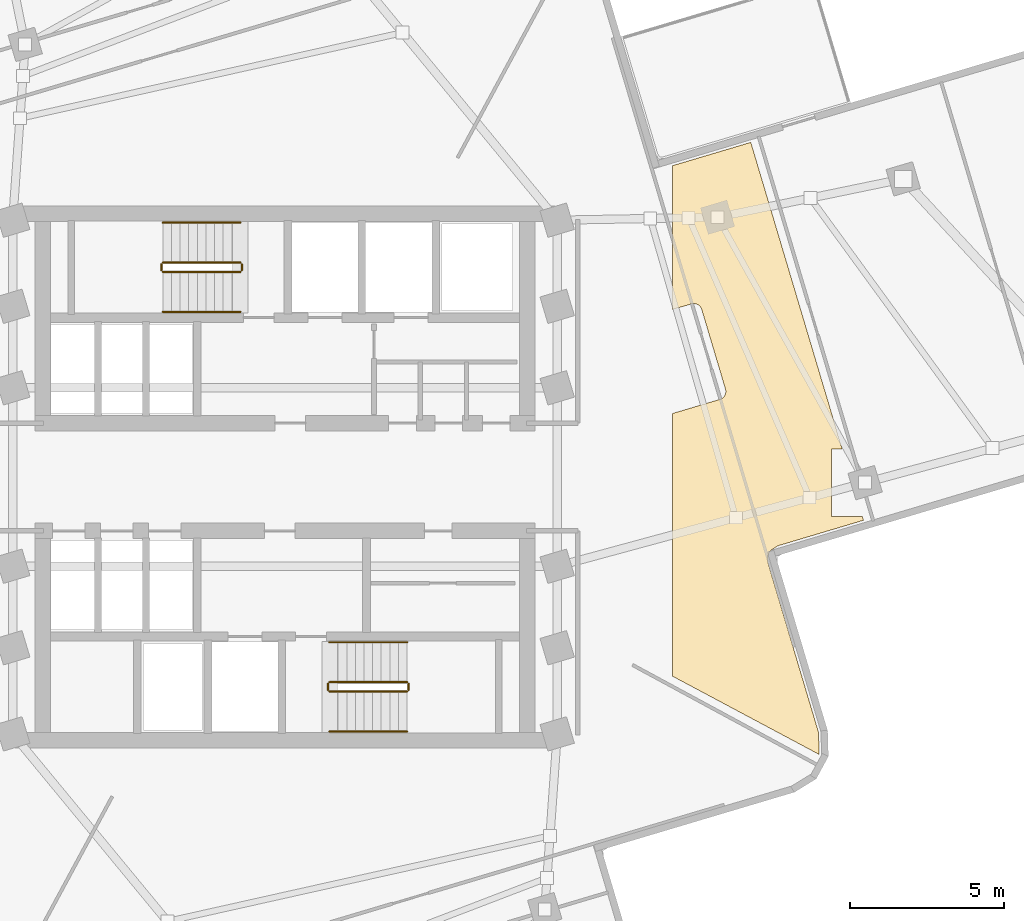
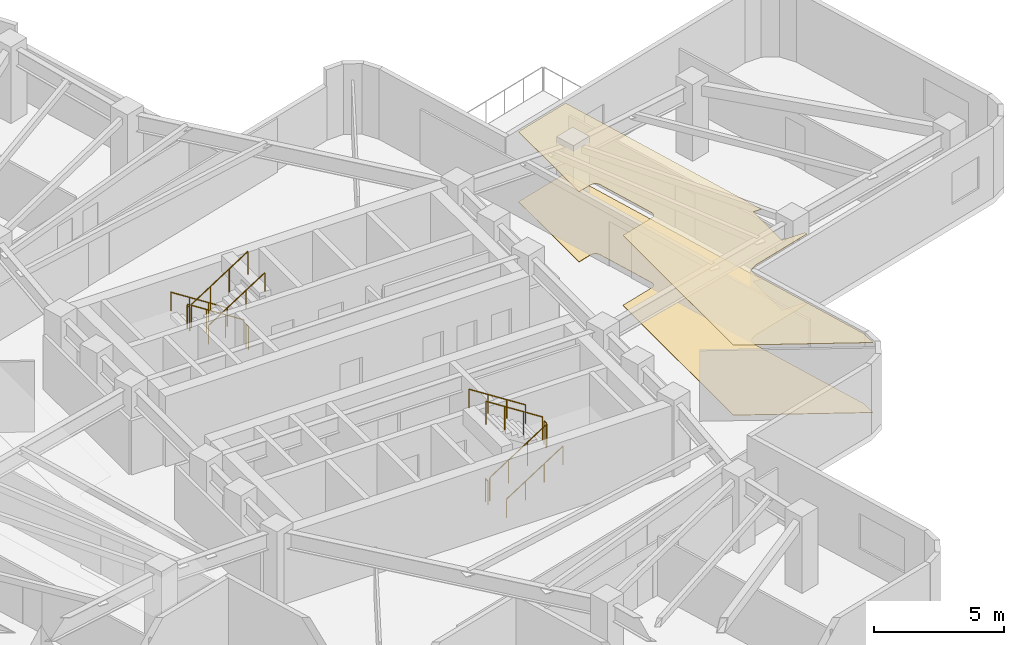
# One storey, part 7 of 8: 12 railings, 2 coverings.
"""IFC4 building model written with IfcOpenShell, lengths in metres."""

from ifc_helpers import new_model, si_unit, direction, frame, origin, origin_2d, place, context, subcontext, project, spatial, polyline, circle, outline, extrude, material, layer, layer_set, type_object, element, save


model = new_model("IFC4")

# Units and contexts
model_context = context("Model", 3, precision=1e-05, world=origin(), true_north=direction((0.0, 1.0)))
body_context = subcontext(model_context, "Body", "Model", "MODEL_VIEW")
ifc_project = project(units=[si_unit("LENGTHUNIT", "METRE"), si_unit("AREAUNIT", "SQUARE_METRE"), si_unit("VOLUMEUNIT", "CUBIC_METRE"), si_unit("PLANEANGLEUNIT", "RADIAN"), si_unit("MASSUNIT", "GRAM", prefix="KILO")], contexts=[model_context])

# Site, building, storey
site_placement = place(None, origin())
site = spatial("IfcSite", under=ifc_project, at=site_placement, CompositionType="ELEMENT")
building_placement = place(site_placement, origin())
building = spatial("IfcBuilding", under=site, at=building_placement, Name="Solmarez Civic Tower", CompositionType="ELEMENT")
storey_placement = place(building_placement, frame((0.0, 0.0, 145.080078125)))
storey = spatial("IfcBuildingStorey", under=building, at=storey_placement, Name="L38", CompositionType="ELEMENT", Elevation=145.080078125)

# Coverings
ifc_material_1 = material(Name="Perforated Mineral-Fibre Acoustic Ceiling")
ifc_layer_1 = layer(ifc_material_1, 0.02490234375)
ifc_layer_set_1 = layer_set([ifc_layer_1], Name="Perforated Mineral-Fibre Acoustic Ceiling")
covering_type_1 = type_object("IfcCoveringType", Name="COV-CEIL-ACOUSTIC", PredefinedType="CEILING", material=ifc_layer_set_1)
covering_1_placement = place(storey_placement, frame((0.0, 0.0, 3.294921875)))
element("IfcCovering", 1, at=covering_1_placement, inside=storey, type_object=covering_type_1, Name="L38 Suspended Acoustic Ceiling 2", PredefinedType="CEILING", context=body_context, shape_type="SweptSolid", body=[
    extrude(outline(polyline([(12.60009765625, 10.1220703125), (12.60009765625, 5.447021484375), (13.217041015625, 5.631103515625), (13.237060546875, 5.635986328125), (13.258056640625, 5.638916015625), (13.26806640625, 5.639892578125), (13.2900390625, 5.64111328125), (13.294921875, 5.64111328125), (13.31689453125, 5.639892578125), (13.337890625, 5.636962890625), (13.343017578125, 5.635986328125), (13.3701171875, 5.62890625), (13.37890625, 5.6259765625), (13.39111328125, 5.62109375), (13.39599609375, 5.618896484375), (13.4130859375, 5.611083984375), (13.429931640625, 5.60205078125), (13.446044921875, 5.591064453125), (13.4580078125, 5.58203125), (13.47607421875, 5.56689453125), (13.492919921875, 5.549072265625), (13.4990234375, 5.5419921875), (13.511962890625, 5.52490234375), (13.52294921875, 5.507080078125), (13.532958984375, 5.488037109375), (13.537109375, 5.47900390625), (13.5400390625, 5.471923828125), (13.5419921875, 5.467041015625), (13.549072265625, 5.447998046875), (14.321044921875, 2.85595703125), (14.325927734375, 2.8359375), (14.326904296875, 2.8310546875), (14.330078125, 2.81005859375), (14.3310546875, 2.7880859375), (14.3310546875, 2.778076171875), (14.330078125, 2.756103515625), (14.326904296875, 2.735107421875), (14.325927734375, 2.72998046875), (14.319091796875, 2.702880859375), (14.31591796875, 2.694091796875), (14.31103515625, 2.681884765625), (14.30908203125, 2.677001953125), (14.301025390625, 2.659912109375), (14.2919921875, 2.64306640625), (14.281005859375, 2.626953125), (14.27197265625, 2.614990234375), (14.257080078125, 2.596923828125), (14.239013671875, 2.580078125), (14.23193359375, 2.573974609375), (14.215087890625, 2.56103515625), (14.197021484375, 2.550048828125), (14.177978515625, 2.5400390625), (14.1689453125, 2.535888671875), (14.162109375, 2.532958984375), (14.156982421875, 2.531005859375), (14.137939453125, 2.52392578125), (12.60009765625, 2.06591796875), (12.60009765625, -6.47509765625), (17.361083984375, -9.01611328125), (17.364013671875, -9.009033203125), (17.344970703125, -8.301025390625), (15.721923828125, -2.85888671875), (15.717041015625, -2.840087890625), (15.712890625, -2.820068359375), (15.7109375, -2.805908203125), (15.708984375, -2.780029296875), (15.705078125, -2.60302734375), (15.705078125, -2.594970703125), (15.70703125, -2.56396484375), (15.7080078125, -2.55908203125), (15.708984375, -2.552978515625), (15.7109375, -2.535888671875), (15.715087890625, -2.52001953125), (15.717041015625, -2.512939453125), (15.72705078125, -2.486083984375), (15.72998046875, -2.47900390625), (15.740966796875, -2.45703125), (15.7451171875, -2.449951171875), (15.7529296875, -2.43701171875), (15.757080078125, -2.430908203125), (15.77099609375, -2.412109375), (15.77587890625, -2.406005859375), (15.7890625, -2.39111328125), (15.7939453125, -2.385986328125), (15.80908203125, -2.373046875), (15.81494140625, -2.367919921875), (15.827880859375, -2.35791015625), (15.8349609375, -2.35302734375), (15.847900390625, -2.344970703125), (15.993896484375, -2.2548828125), (16.010986328125, -2.2451171875), (16.01708984375, -2.241943359375), (16.028076171875, -2.237060546875), (16.034912109375, -2.23388671875), (16.052001953125, -2.22705078125), (16.05810546875, -2.22509765625), (16.06494140625, -2.222900390625), (18.804931640625, -1.406005859375), (18.76904296875, -1.282958984375), (17.760009765625, -1.282958984375), (17.760009765625, 0.9169921875), (18.113037109375, 0.9169921875), (15.14306640625, 10.87890625), (12.60009765625, 10.1220703125)])), origin(), (0.0, 0.0, 1.0), 0.02490234375),
])
ifc_material_2 = material(Name="Polished Tropical Stone Terrazzo Flooring", Category="masonry")
ifc_layer_2 = layer(ifc_material_2, 0.02001953125)
ifc_layer_set_2 = layer_set([ifc_layer_2], Name="Polished Tropical Stone Terrazzo Flooring")
covering_type_2 = type_object("IfcCoveringType", Name="COV-FLOOR-TERRAZZO", PredefinedType="FLOORING", material=ifc_layer_set_2)
covering_2_placement = place(storey_placement, origin())
element("IfcCovering", 2, at=covering_2_placement, inside=storey, type_object=covering_type_2, Name="L38 Terrazzo Floor Finish 2", PredefinedType="FLOORING", context=body_context, shape_type="SweptSolid", body=[
    extrude(outline(polyline([(12.60009765625, 10.1220703125), (12.60009765625, 5.447021484375), (13.217041015625, 5.631103515625), (13.237060546875, 5.635986328125), (13.258056640625, 5.638916015625), (13.26806640625, 5.639892578125), (13.2900390625, 5.64111328125), (13.294921875, 5.64111328125), (13.31689453125, 5.639892578125), (13.337890625, 5.636962890625), (13.343017578125, 5.635986328125), (13.3701171875, 5.62890625), (13.37890625, 5.6259765625), (13.39111328125, 5.62109375), (13.39599609375, 5.618896484375), (13.4130859375, 5.611083984375), (13.429931640625, 5.60205078125), (13.446044921875, 5.591064453125), (13.4580078125, 5.58203125), (13.47607421875, 5.56689453125), (13.492919921875, 5.549072265625), (13.4990234375, 5.5419921875), (13.511962890625, 5.52490234375), (13.52294921875, 5.507080078125), (13.532958984375, 5.488037109375), (13.537109375, 5.47900390625), (13.5400390625, 5.471923828125), (13.5419921875, 5.467041015625), (13.549072265625, 5.447998046875), (14.321044921875, 2.85595703125), (14.325927734375, 2.8359375), (14.326904296875, 2.8310546875), (14.330078125, 2.81005859375), (14.3310546875, 2.7880859375), (14.3310546875, 2.778076171875), (14.330078125, 2.756103515625), (14.326904296875, 2.735107421875), (14.325927734375, 2.72998046875), (14.319091796875, 2.702880859375), (14.31591796875, 2.694091796875), (14.31103515625, 2.681884765625), (14.30908203125, 2.677001953125), (14.301025390625, 2.659912109375), (14.2919921875, 2.64306640625), (14.281005859375, 2.626953125), (14.27197265625, 2.614990234375), (14.257080078125, 2.596923828125), (14.239013671875, 2.580078125), (14.23193359375, 2.573974609375), (14.215087890625, 2.56103515625), (14.197021484375, 2.550048828125), (14.177978515625, 2.5400390625), (14.1689453125, 2.535888671875), (14.162109375, 2.532958984375), (14.156982421875, 2.531005859375), (14.137939453125, 2.52392578125), (12.60009765625, 2.06591796875), (12.60009765625, -6.47509765625), (17.361083984375, -9.01611328125), (17.364013671875, -9.009033203125), (17.344970703125, -8.301025390625), (15.721923828125, -2.85888671875), (15.717041015625, -2.840087890625), (15.712890625, -2.820068359375), (15.7109375, -2.805908203125), (15.708984375, -2.780029296875), (15.705078125, -2.60302734375), (15.705078125, -2.594970703125), (15.70703125, -2.56396484375), (15.7080078125, -2.55908203125), (15.708984375, -2.552978515625), (15.7109375, -2.535888671875), (15.715087890625, -2.52001953125), (15.717041015625, -2.512939453125), (15.72705078125, -2.486083984375), (15.72998046875, -2.47900390625), (15.740966796875, -2.45703125), (15.7451171875, -2.449951171875), (15.7529296875, -2.43701171875), (15.757080078125, -2.430908203125), (15.77099609375, -2.412109375), (15.77587890625, -2.406005859375), (15.7890625, -2.39111328125), (15.7939453125, -2.385986328125), (15.80908203125, -2.373046875), (15.81494140625, -2.367919921875), (15.827880859375, -2.35791015625), (15.8349609375, -2.35302734375), (15.847900390625, -2.344970703125), (15.993896484375, -2.2548828125), (16.010986328125, -2.2451171875), (16.01708984375, -2.241943359375), (16.028076171875, -2.237060546875), (16.034912109375, -2.23388671875), (16.052001953125, -2.22705078125), (16.05810546875, -2.22509765625), (16.06494140625, -2.222900390625), (18.804931640625, -1.406005859375), (18.76904296875, -1.282958984375), (17.760009765625, -1.282958984375), (17.760009765625, 0.9169921875), (18.113037109375, 0.9169921875), (15.14306640625, 10.87890625), (12.60009765625, 10.1220703125)])), origin(), (0.0, 0.0, 1.0), 0.02001953125),
])

# Railings
ifc_material_3 = material(Name="Painted Steel Stairwell Safety Guard", Category="steel")
railing_type_1 = type_object("IfcRailingType", Name="GUARD-STAIR-1120", PredefinedType="BALUSTRADE", material=ifc_material_3)
railing_1_placement = place(storey_placement, frame((-1.449951171875, 6.969970703125, 0.179931640625)))
element("IfcRailing", 3, at=railing_1_placement, inside=storey, type_object=railing_type_1, Name="L38 ST-1 stair guard 1", PredefinedType="BALUSTRADE", context=body_context, shape_type="SweptSolid", body=[
    extrude(circle(Radius=0.02392578125, at=origin_2d()), frame((0.0, 0.0, 1.09619140625), z_axis=(-0.841199657755, 0.0, 0.540724639528), x_axis=(0.0, -1.0, 0.0)), (0.0, 0.0, 1.0), 2.995849609375),
    extrude(circle(Radius=0.02099609375, at=origin_2d()), origin(), (0.0, 0.0, 1.0), 1.072021484375),
    extrude(circle(Radius=0.02099609375, at=origin_2d()), frame((-0.840087890625, 0.0, 0.5400390625)), (0.0, 0.0, 1.0), 1.072021484375),
    extrude(circle(Radius=0.02099609375, at=origin_2d()), frame((-1.679931640625, 0.0, 1.079833984375)), (0.0, 0.0, 1.0), 1.072021484375),
    extrude(circle(Radius=0.02099609375, at=origin_2d()), frame((-2.52001953125, 0.0, 1.619873046875)), (0.0, 0.0, 1.0), 1.072021484375),
])
railing_2_placement = place(storey_placement, frame((-4.02001953125, 6.919921875, 1.7998046875)))
element("IfcRailing", 4, at=railing_2_placement, inside=storey, type_object=railing_type_1, Name="L38 ST-1 stair guard 2", PredefinedType="BALUSTRADE", context=body_context, shape_type="SweptSolid", body=[
    extrude(circle(Radius=0.02392578125, at=origin_2d()), frame((0.0, 0.0, 1.09619140625), z_axis=(0.0, -1.0, 0.0), x_axis=(1.0, 0.0, 0.0)), (0.0, 0.0, 1.0), 0.199951171875),
    extrude(circle(Radius=0.02099609375, at=origin_2d()), origin(), (0.0, 0.0, 1.0), 1.072021484375),
    extrude(circle(Radius=0.02099609375, at=origin_2d()), frame((0.0, -0.199951171875, 0.0)), (0.0, 0.0, 1.0), 1.072021484375),
])
railing_3_placement = place(storey_placement, frame((-3.969970703125, 6.669921875, 1.97998046875)))
element("IfcRailing", 5, at=railing_3_placement, inside=storey, type_object=railing_type_1, Name="L38 ST-1 stair guard 3", PredefinedType="BALUSTRADE", context=body_context, shape_type="SweptSolid", body=[
    extrude(circle(Radius=0.02392578125, at=origin_2d()), frame((0.0, 0.0, 1.09619140625), z_axis=(0.841199657755, 0.0, 0.540724639528), x_axis=(0.0, 1.0, 0.0)), (0.0, 0.0, 1.0), 2.995849609375),
    extrude(circle(Radius=0.02099609375, at=origin_2d()), origin(), (0.0, 0.0, 1.0), 1.072021484375),
    extrude(circle(Radius=0.02099609375, at=origin_2d()), frame((0.840087890625, 0.0, 0.5400390625)), (0.0, 0.0, 1.0), 1.072021484375),
    extrude(circle(Radius=0.02099609375, at=origin_2d()), frame((1.679931640625, 0.0, 1.079833984375)), (0.0, 0.0, 1.0), 1.072021484375),
    extrude(circle(Radius=0.02099609375, at=origin_2d()), frame((2.52001953125, 0.0, 1.619873046875)), (0.0, 0.0, 1.0), 1.072021484375),
])
railing_4_placement = place(storey_placement, frame((-1.39990234375, 6.919921875, 0.0)))
element("IfcRailing", 6, at=railing_4_placement, inside=storey, type_object=railing_type_1, Name="L38 ST-1 stair guard 4", PredefinedType="BALUSTRADE", context=body_context, shape_type="SweptSolid", body=[
    extrude(circle(Radius=0.02392578125, at=origin_2d()), frame((0.0, 0.0, 1.09619140625), z_axis=(0.0, -1.0, 0.0), x_axis=(1.0, 0.0, 0.0)), (0.0, 0.0, 1.0), 0.199951171875),
    extrude(circle(Radius=0.02099609375, at=origin_2d()), origin(), (0.0, 0.0, 1.0), 1.072021484375),
    extrude(circle(Radius=0.02099609375, at=origin_2d()), frame((0.0, -0.199951171875, 0.0)), (0.0, 0.0, 1.0), 1.072021484375),
])
railing_5_placement = place(storey_placement, frame((1.449951171875, -6.969970703125, 0.179931640625)))
element("IfcRailing", 7, at=railing_5_placement, inside=storey, type_object=railing_type_1, Name="L38 ST-2 stair guard 1", PredefinedType="BALUSTRADE", context=body_context, shape_type="SweptSolid", body=[
    extrude(circle(Radius=0.02392578125, at=origin_2d()), frame((0.0, 0.0, 1.09619140625), z_axis=(0.841199657755, 0.0, 0.540724639528), x_axis=(0.0, 1.0, 0.0)), (0.0, 0.0, 1.0), 2.995849609375),
    extrude(circle(Radius=0.02099609375, at=origin_2d()), origin(), (0.0, 0.0, 1.0), 1.072021484375),
    extrude(circle(Radius=0.02099609375, at=origin_2d()), frame((0.840087890625, 0.0, 0.5400390625)), (0.0, 0.0, 1.0), 1.072021484375),
    extrude(circle(Radius=0.02099609375, at=origin_2d()), frame((1.679931640625, 0.0, 1.079833984375)), (0.0, 0.0, 1.0), 1.072021484375),
    extrude(circle(Radius=0.02099609375, at=origin_2d()), frame((2.52001953125, 0.0, 1.619873046875)), (0.0, 0.0, 1.0), 1.072021484375),
])
railing_6_placement = place(storey_placement, frame((4.02001953125, -6.919921875, 1.7998046875)))
element("IfcRailing", 8, at=railing_6_placement, inside=storey, type_object=railing_type_1, Name="L38 ST-2 stair guard 2", PredefinedType="BALUSTRADE", context=body_context, shape_type="SweptSolid", body=[
    extrude(circle(Radius=0.02392578125, at=origin_2d()), frame((0.0, 0.0, 1.09619140625), z_axis=(0.0, 1.0, 0.0), x_axis=(-1.0, 0.0, 0.0)), (0.0, 0.0, 1.0), 0.199951171875),
    extrude(circle(Radius=0.02099609375, at=origin_2d()), origin(), (0.0, 0.0, 1.0), 1.072021484375),
    extrude(circle(Radius=0.02099609375, at=origin_2d()), frame((0.0, 0.199951171875, 0.0)), (0.0, 0.0, 1.0), 1.072021484375),
])
railing_7_placement = place(storey_placement, frame((3.969970703125, -6.669921875, 1.97998046875)))
element("IfcRailing", 9, at=railing_7_placement, inside=storey, type_object=railing_type_1, Name="L38 ST-2 stair guard 3", PredefinedType="BALUSTRADE", context=body_context, shape_type="SweptSolid", body=[
    extrude(circle(Radius=0.02392578125, at=origin_2d()), frame((0.0, 0.0, 1.09619140625), z_axis=(-0.841199657755, 0.0, 0.540724639528), x_axis=(0.0, -1.0, 0.0)), (0.0, 0.0, 1.0), 2.995849609375),
    extrude(circle(Radius=0.02099609375, at=origin_2d()), origin(), (0.0, 0.0, 1.0), 1.072021484375),
    extrude(circle(Radius=0.02099609375, at=origin_2d()), frame((-0.840087890625, 0.0, 0.5400390625)), (0.0, 0.0, 1.0), 1.072021484375),
    extrude(circle(Radius=0.02099609375, at=origin_2d()), frame((-1.679931640625, 0.0, 1.079833984375)), (0.0, 0.0, 1.0), 1.072021484375),
    extrude(circle(Radius=0.02099609375, at=origin_2d()), frame((-2.52001953125, 0.0, 1.619873046875)), (0.0, 0.0, 1.0), 1.072021484375),
])
railing_8_placement = place(storey_placement, frame((1.39990234375, -6.919921875, 0.0)))
element("IfcRailing", 10, at=railing_8_placement, inside=storey, type_object=railing_type_1, Name="L38 ST-2 stair guard 4", PredefinedType="BALUSTRADE", context=body_context, shape_type="SweptSolid", body=[
    extrude(circle(Radius=0.02392578125, at=origin_2d()), frame((0.0, 0.0, 1.09619140625), z_axis=(0.0, 1.0, 0.0), x_axis=(-1.0, 0.0, 0.0)), (0.0, 0.0, 1.0), 0.199951171875),
    extrude(circle(Radius=0.02099609375, at=origin_2d()), origin(), (0.0, 0.0, 1.0), 1.072021484375),
    extrude(circle(Radius=0.02099609375, at=origin_2d()), frame((0.0, 0.199951171875, 0.0)), (0.0, 0.0, 1.0), 1.072021484375),
])
ifc_material_4 = material(Name="Brushed Stainless Steel Tube Handrail", Category="steel")
railing_type_2 = type_object("IfcRailingType", Name="HANDRAIL-STAIR-900", PredefinedType="HANDRAIL", material=ifc_material_4)
railing_9_placement = place(storey_placement, frame((-1.449951171875, 8.27001953125, 0.179931640625)))
element("IfcRailing", 11, at=railing_9_placement, inside=storey, type_object=railing_type_2, Name="L38 ST-1 stair handrail 1", PredefinedType="HANDRAIL", context=body_context, shape_type="SweptSolid", body=[
    extrude(circle(Radius=0.02392578125, at=origin_2d()), frame((0.0, 0.0, 0.8759765625), z_axis=(-0.841199657755, 0.0, 0.540724639528), x_axis=(0.0, -1.0, 0.0)), (0.0, 0.0, 1.0), 2.995849609375),
    extrude(circle(Radius=0.02099609375, at=origin_2d()), origin(), (0.0, 0.0, 1.0), 0.851806640625),
    extrude(circle(Radius=0.02099609375, at=origin_2d()), frame((-0.840087890625, 0.0, 0.5400390625)), (0.0, 0.0, 1.0), 0.851806640625),
    extrude(circle(Radius=0.02099609375, at=origin_2d()), frame((-1.679931640625, 0.0, 1.079833984375)), (0.0, 0.0, 1.0), 0.851806640625),
    extrude(circle(Radius=0.02099609375, at=origin_2d()), frame((-2.52001953125, 0.0, 1.619873046875)), (0.0, 0.0, 1.0), 0.851806640625),
])
for number, where, name in (
    (12, (-3.969970703125, 5.3701171875, 1.97998046875), "L38 ST-1 stair handrail 2"),
    (13, (1.449951171875, -8.27001953125, 0.179931640625), "L38 ST-2 stair handrail 1"),
):
    element("IfcRailing", number, at=place(storey_placement, frame(where)), inside=storey, type_object=railing_type_2, Name=name, PredefinedType="HANDRAIL", context=body_context, shape_type="SweptSolid", body=[
        extrude(circle(Radius=0.02392578125, at=origin_2d()), frame((0.0, 0.0, 0.8759765625), z_axis=(0.841199657755, 0.0, 0.540724639528), x_axis=(0.0, 1.0, 0.0)), (0.0, 0.0, 1.0), 2.995849609375),
        extrude(circle(Radius=0.02099609375, at=origin_2d()), origin(), (0.0, 0.0, 1.0), 0.851806640625),
        extrude(circle(Radius=0.02099609375, at=origin_2d()), frame((0.840087890625, 0.0, 0.5400390625)), (0.0, 0.0, 1.0), 0.851806640625),
        extrude(circle(Radius=0.02099609375, at=origin_2d()), frame((1.679931640625, 0.0, 1.079833984375)), (0.0, 0.0, 1.0), 0.851806640625),
        extrude(circle(Radius=0.02099609375, at=origin_2d()), frame((2.52001953125, 0.0, 1.619873046875)), (0.0, 0.0, 1.0), 0.851806640625),
    ])
railing_10_placement = place(storey_placement, frame((3.969970703125, -5.3701171875, 1.97998046875)))
element("IfcRailing", 14, at=railing_10_placement, inside=storey, type_object=railing_type_2, Name="L38 ST-2 stair handrail 2", PredefinedType="HANDRAIL", context=body_context, shape_type="SweptSolid", body=[
    extrude(circle(Radius=0.02392578125, at=origin_2d()), frame((0.0, 0.0, 0.8759765625), z_axis=(-0.841199657755, 0.0, 0.540724639528), x_axis=(0.0, -1.0, 0.0)), (0.0, 0.0, 1.0), 2.995849609375),
    extrude(circle(Radius=0.02099609375, at=origin_2d()), origin(), (0.0, 0.0, 1.0), 0.851806640625),
    extrude(circle(Radius=0.02099609375, at=origin_2d()), frame((-0.840087890625, 0.0, 0.5400390625)), (0.0, 0.0, 1.0), 0.851806640625),
    extrude(circle(Radius=0.02099609375, at=origin_2d()), frame((-1.679931640625, 0.0, 1.079833984375)), (0.0, 0.0, 1.0), 0.851806640625),
    extrude(circle(Radius=0.02099609375, at=origin_2d()), frame((-2.52001953125, 0.0, 1.619873046875)), (0.0, 0.0, 1.0), 0.851806640625),
])

save(model, "model.ifc")
